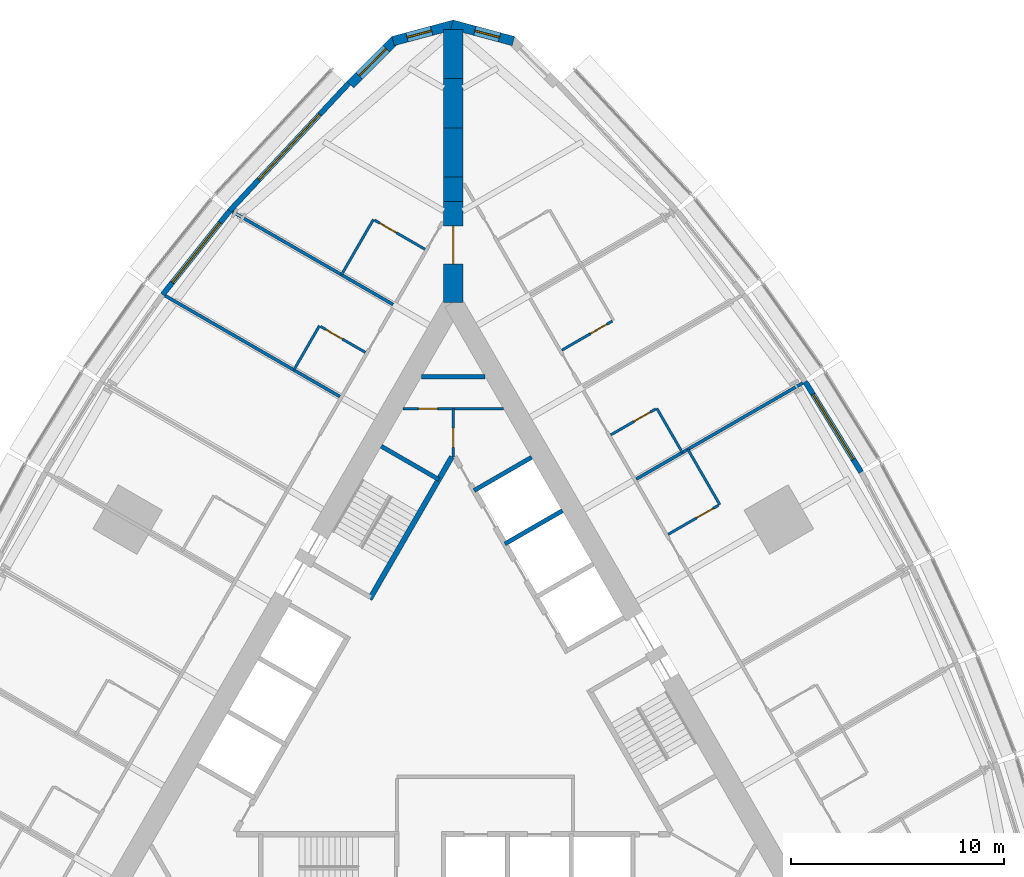
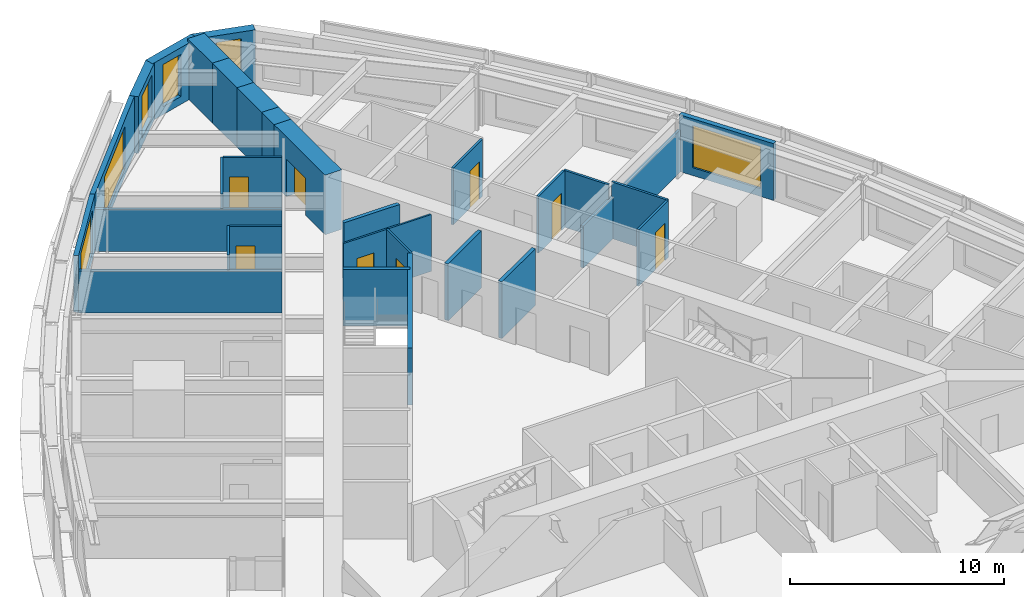
# One storey, part 12 of 14: 30 walls, 8 doors, 6 windows, 14 openings.
"""IFC4 building model written with IfcOpenShell, lengths in metres."""

from ifc_helpers import new_model, si_unit, direction, frame, frame_2d, origin, place, context, subcontext, project, spatial, polyline, rectangle, outline, extrude, material, layer, layer_set, type_object, element, fill, save


model = new_model("IFC4")

# Units and contexts
model_context = context("Model", 3, precision=1e-05, world=origin(), true_north=direction((0.0, 1.0)))
body_context = subcontext(model_context, "Body", "Model", "MODEL_VIEW")
ifc_project = project(units=[si_unit("LENGTHUNIT", "METRE"), si_unit("AREAUNIT", "SQUARE_METRE"), si_unit("VOLUMEUNIT", "CUBIC_METRE"), si_unit("PLANEANGLEUNIT", "RADIAN"), si_unit("MASSUNIT", "GRAM", prefix="KILO")], contexts=[model_context])

# Site, building, storey
site_placement = place(None, origin())
site = spatial("IfcSite", under=ifc_project, at=site_placement, CompositionType="ELEMENT")
building_placement = place(site_placement, origin())
building = spatial("IfcBuilding", under=site, at=building_placement, Name="Trikona Tower", CompositionType="ELEMENT")
storey_placement = place(building_placement, frame((0.0, 0.0, 38.699951171875)))
storey = spatial("IfcBuildingStorey", under=building, at=storey_placement, Name="L08", CompositionType="ELEMENT", Elevation=38.699951171875)

# Wall
ifc_material_1 = material(Name="Metal stud and cement board", Category="gypsum")
ifc_layer_1 = layer(ifc_material_1, 0.1201171875)
ifc_layer_set_1 = layer_set([ifc_layer_1], Name="Bathroom wall 120")
wall_type_1 = type_object("IfcWallType", Name="Bathroom wall 120", PredefinedType="PLUMBINGWALL", material=ifc_layer_set_1)
wall_1_placement = place(storey_placement, frame((12.53271484375, 9.545166015625, 0.0), z_axis=(0.0, 0.0, 1.0), x_axis=(-0.499990139034, 0.866031096941, 0.0)))
element("IfcWall", 1, at=wall_1_placement, inside=storey, type_object=wall_type_1, Name="Bathroom wall 0809", PredefinedType="PLUMBINGWALL", context=body_context, shape_type="SweptSolid", body=[
    extrude(rectangle(XDim=3.0, YDim=0.1201171875, at=frame_2d((1.5, 0.0))), origin(), (0.0, 0.0, 1.0), 3.235107421875),
])

# Wall, opening, door
wall_2_placement = place(storey_placement, frame((10.10791015625, 8.145263671875, 0.0), z_axis=(0.0, 0.0, 1.0), x_axis=(0.866035715982, 0.499982138324, 0.0)))
wall_2 = element("IfcWall", 2, at=wall_2_placement, inside=storey, type_object=wall_type_1, Name="Bathroom wall 0809", PredefinedType="PLUMBINGWALL", context=body_context, shape_type="SweptSolid", body=[
    extrude(rectangle(XDim=2.73974609375, YDim=0.1201171875, at=frame_2d((1.369873046875, 0.0))), origin(), (0.0, 0.0, 1.0), 3.235107421875),
])
opening_1_placement = place(wall_2_placement, frame((1.550048828125, 0.0, 0.0)))
opening_1 = element("IfcOpeningElement", 3, at=opening_1_placement, cuts=wall_2, Name="Opening D2", PredefinedType="OPENING", context=body_context, shape_type="SweptSolid", body=[
    extrude(rectangle(XDim=0.89990234375, YDim=2.1298828125, at=frame_2d((0.449951171875, 1.06494140625))), frame((0.0, 0.070068359375, 0.0), z_axis=(0.0, -1.0, 0.0), x_axis=(1.0, 0.0, 0.0)), (0.0, 0.0, 1.0), 0.14013671875),
])
ifc_material_2 = material(Name="Steel door frame with solid-core timber leaf", Category="steel")
door_type_1 = type_object("IfcDoorType", Name="Bathroom door 900x2130", OperationType="SLIDING_TO_LEFT", PredefinedType="DOOR", material=ifc_material_2)
door_1_placement = place(opening_1_placement, origin())
door_1 = element("IfcDoor", 4, at=door_1_placement, inside=storey, type_object=door_type_1, Name="Bathroom door 0809", OperationType="SLIDING_TO_LEFT", OverallHeight=2.1298828125, OverallWidth=0.89990234375, PredefinedType="DOOR", context=body_context, shape_type="SweptSolid", body=[
    extrude(rectangle(XDim=0.89990234375, YDim=2.1298828125, at=frame_2d((0.449951171875, 1.06494140625))), frame((0.0, 0.02490234375, 0.0), z_axis=(0.0, -1.0, 0.0), x_axis=(1.0, 0.0, 0.0)), (0.0, 0.0, 1.0), 0.050048828125),
])
fill(opening_1, door_1)

# Wall
wall_3_placement = place(storey_placement, frame((10.77294921875, 11.993408203125, 0.0), z_axis=(0.0, 0.0, 1.0), x_axis=(-0.500001309137, 0.866024647952, 0.0)))
element("IfcWall", 5, at=wall_3_placement, inside=storey, type_object=wall_type_1, Name="Bathroom wall 0810", PredefinedType="PLUMBINGWALL", context=body_context, shape_type="SweptSolid", body=[
    extrude(rectangle(XDim=2.39990234375, YDim=0.1201171875, at=frame_2d((1.199951171875, 0.0))), origin(), (0.0, 0.0, 1.0), 3.235107421875),
])

# Wall, opening, door
wall_4_placement = place(storey_placement, frame((7.407958984375, 12.82177734375, 0.0), z_axis=(0.0, 0.0, 1.0), x_axis=(0.866023955769, 0.500002508028, 0.0)))
wall_4 = element("IfcWall", 6, at=wall_4_placement, inside=storey, type_object=wall_type_1, Name="Bathroom wall 0810", PredefinedType="PLUMBINGWALL", context=body_context, shape_type="SweptSolid", body=[
    extrude(rectangle(XDim=2.43994140625, YDim=0.1201171875, at=frame_2d((1.219970703125, 0.0))), origin(), (0.0, 0.0, 1.0), 3.235107421875),
])
opening_2_placement = place(wall_4_placement, frame((1.25, 0.0, 0.0)))
opening_2 = element("IfcOpeningElement", 7, at=opening_2_placement, cuts=wall_4, Name="Opening D2", PredefinedType="OPENING", context=body_context, shape_type="SweptSolid", body=[
    extrude(rectangle(XDim=0.89990234375, YDim=2.1298828125, at=frame_2d((0.449951171875, 1.06494140625))), frame((0.0, 0.070068359375, 0.0), z_axis=(0.0, -1.0, 0.0), x_axis=(1.0, 0.0, 0.0)), (0.0, 0.0, 1.0), 0.14013671875),
])
door_2_placement = place(opening_2_placement, origin())
door_2 = element("IfcDoor", 8, at=door_2_placement, inside=storey, type_object=door_type_1, Name="Bathroom door 0810", OperationType="SLIDING_TO_LEFT", OverallHeight=2.1298828125, OverallWidth=0.89990234375, PredefinedType="DOOR", context=body_context, shape_type="SweptSolid", body=[
    extrude(rectangle(XDim=0.89990234375, YDim=2.1298828125, at=frame_2d((0.449951171875, 1.06494140625))), frame((0.0, 0.02490234375, 0.0), z_axis=(0.0, -1.0, 0.0), x_axis=(1.0, 0.0, 0.0)), (0.0, 0.0, 1.0), 0.050048828125),
])
fill(opening_2, door_2)

wall_5_placement = place(storey_placement, frame((5.10791015625, 16.805419921875, 0.0), z_axis=(0.0, 0.0, 1.0), x_axis=(0.866035715982, 0.499982138324, 0.0)))
wall_5 = element("IfcWall", 9, at=wall_5_placement, inside=storey, type_object=wall_type_1, Name="Bathroom wall 0811", PredefinedType="PLUMBINGWALL", context=body_context, shape_type="SweptSolid", body=[
    extrude(rectangle(XDim=2.73974609375, YDim=0.1201171875, at=frame_2d((1.369873046875, 0.0))), origin(), (0.0, 0.0, 1.0), 3.235107421875),
])
opening_3_placement = place(wall_5_placement, frame((1.550048828125, 0.0, 0.0)))
opening_3 = element("IfcOpeningElement", 10, at=opening_3_placement, cuts=wall_5, Name="Opening D2", PredefinedType="OPENING", context=body_context, shape_type="SweptSolid", body=[
    extrude(rectangle(XDim=0.89990234375, YDim=2.1298828125, at=frame_2d((0.449951171875, 1.06494140625))), frame((0.0, 0.070068359375, 0.0), z_axis=(0.0, -1.0, 0.0), x_axis=(1.0, 0.0, 0.0)), (0.0, 0.0, 1.0), 0.14013671875),
])
door_3_placement = place(opening_3_placement, origin())
door_3 = element("IfcDoor", 11, at=door_3_placement, inside=storey, type_object=door_type_1, Name="Bathroom door 0811", OperationType="SLIDING_TO_LEFT", OverallHeight=2.1298828125, OverallWidth=0.89990234375, PredefinedType="DOOR", context=body_context, shape_type="SweptSolid", body=[
    extrude(rectangle(XDim=0.89990234375, YDim=2.1298828125, at=frame_2d((0.449951171875, 1.06494140625))), frame((0.0, 0.02490234375, 0.0), z_axis=(0.0, -1.0, 0.0), x_axis=(1.0, 0.0, 0.0)), (0.0, 0.0, 1.0), 0.050048828125),
])
fill(opening_3, door_3)

# Wall
wall_6_placement = place(storey_placement, frame((-3.75341796875, 22.95166015625, 0.0), z_axis=(0.0, 0.0, 1.0), x_axis=(-0.499990139034, -0.866031096941, 0.0)))
element("IfcWall", 12, at=wall_6_placement, inside=storey, type_object=wall_type_1, Name="Bathroom wall 0813", PredefinedType="PLUMBINGWALL", context=body_context, shape_type="SweptSolid", body=[
    extrude(rectangle(XDim=3.0, YDim=0.1201171875, at=frame_2d((1.5, 0.0))), origin(), (0.0, 0.0, 1.0), 3.235107421875),
])

# Wall, opening, door
wall_7_placement = place(storey_placement, frame((-1.32861328125, 21.551513671875, 0.0), z_axis=(0.0, 0.0, 1.0), x_axis=(-0.865997131366, 0.500048966069, 0.0)))
wall_7 = element("IfcWall", 13, at=wall_7_placement, inside=storey, type_object=wall_type_1, Name="Bathroom wall 0813", PredefinedType="PLUMBINGWALL", context=body_context, shape_type="SweptSolid", body=[
    extrude(rectangle(XDim=2.739990234375, YDim=0.1201171875, at=frame_2d((1.3701171875, 0.0))), origin(), (0.0, 0.0, 1.0), 3.235107421875),
])
opening_4_placement = place(wall_7_placement, frame((1.550048828125, 0.0, 0.0)))
opening_4 = element("IfcOpeningElement", 14, at=opening_4_placement, cuts=wall_7, Name="Opening D2", PredefinedType="OPENING", context=body_context, shape_type="SweptSolid", body=[
    extrude(rectangle(XDim=0.89990234375, YDim=2.1298828125, at=frame_2d((0.449951171875, 1.06494140625))), frame((0.0, 0.070068359375, 0.0), z_axis=(0.0, -1.0, 0.0), x_axis=(1.0, 0.0, 0.0)), (0.0, 0.0, 1.0), 0.14013671875),
])
door_4_placement = place(opening_4_placement, origin())
door_4 = element("IfcDoor", 15, at=door_4_placement, inside=storey, type_object=door_type_1, Name="Bathroom door 0813", OperationType="SLIDING_TO_LEFT", OverallHeight=2.1298828125, OverallWidth=0.89990234375, PredefinedType="DOOR", context=body_context, shape_type="SweptSolid", body=[
    extrude(rectangle(XDim=0.89990234375, YDim=2.1298828125, at=frame_2d((0.449951171875, 1.06494140625))), frame((0.0, 0.02490234375, 0.0), z_axis=(0.0, -1.0, 0.0), x_axis=(1.0, 0.0, 0.0)), (0.0, 0.0, 1.0), 0.050048828125),
])
fill(opening_4, door_4)

# Wall
wall_8_placement = place(storey_placement, frame((-6.29345703125, 17.951904296875, 0.0), z_axis=(0.0, 0.0, 1.0), x_axis=(-0.499957262057, -0.866050077142, 0.0)))
element("IfcWall", 16, at=wall_8_placement, inside=storey, type_object=wall_type_1, Name="Bathroom wall 0814", PredefinedType="PLUMBINGWALL", context=body_context, shape_type="SweptSolid", body=[
    extrude(rectangle(XDim=2.400146484375, YDim=0.1201171875, at=frame_2d((1.2001953125, 0.0))), origin(), (0.0, 0.0, 1.0), 3.235107421875),
])

# Wall, opening, door
wall_9_placement = place(storey_placement, frame((-4.12841796875, 16.701904296875, 0.0), z_axis=(0.0, 0.0, 1.0), x_axis=(-0.866048967903, 0.499959183527, 0.0)))
wall_9 = element("IfcWall", 17, at=wall_9_placement, inside=storey, type_object=wall_type_1, Name="Bathroom wall 0814", PredefinedType="PLUMBINGWALL", context=body_context, shape_type="SweptSolid", body=[
    extrude(rectangle(XDim=2.440185546875, YDim=0.1201171875, at=frame_2d((1.22021484375, 0.0))), origin(), (0.0, 0.0, 1.0), 3.235107421875),
])
opening_5_placement = place(wall_9_placement, frame((1.25, 0.0, 0.0)))
opening_5 = element("IfcOpeningElement", 18, at=opening_5_placement, cuts=wall_9, Name="Opening D2", PredefinedType="OPENING", context=body_context, shape_type="SweptSolid", body=[
    extrude(rectangle(XDim=0.89990234375, YDim=2.1298828125, at=frame_2d((0.449951171875, 1.06494140625))), frame((0.0, 0.070068359375, 0.0), z_axis=(0.0, -1.0, 0.0), x_axis=(1.0, 0.0, 0.0)), (0.0, 0.0, 1.0), 0.14013671875),
])
door_5_placement = place(opening_5_placement, origin())
door_5 = element("IfcDoor", 19, at=door_5_placement, inside=storey, type_object=door_type_1, Name="Bathroom door 0814", OperationType="SLIDING_TO_LEFT", OverallHeight=2.1298828125, OverallWidth=0.89990234375, PredefinedType="DOOR", context=body_context, shape_type="SweptSolid", body=[
    extrude(rectangle(XDim=0.89990234375, YDim=2.1298828125, at=frame_2d((0.449951171875, 1.06494140625))), frame((0.0, 0.02490234375, 0.0), z_axis=(0.0, -1.0, 0.0), x_axis=(1.0, 0.0, 0.0)), (0.0, 0.0, 1.0), 0.050048828125),
])
fill(opening_5, door_5)

# Wall, opening, window
ifc_material_3 = material(Name="Brick-faced precast concrete", Category="masonry")
ifc_layer_2 = layer(ifc_material_3, 0.449951171875)
ifc_layer_set_2 = layer_set([ifc_layer_2], Name="Brick-faced corner wall 450")
wall_type_2 = type_object("IfcWallType", Name="Brick-faced corner wall 450", PredefinedType="SOLIDWALL", material=ifc_layer_set_2)
wall_10_placement = place(storey_placement, frame((2.82861328125, 31.3408203125, 0.0), z_axis=(0.0, 0.0, 1.0), x_axis=(-0.965930548995, 0.258801419081, 0.0)))
wall_10 = element("IfcWall", 20, at=wall_10_placement, inside=storey, type_object=wall_type_2, Name="External wall L08-21", PredefinedType="SOLIDWALL", context=body_context, shape_type="SweptSolid", body=[
    extrude(outline(polyline([(2.988525390625, 0.22509765625), (2.92919921875, 0.22509765625), (2.4375, 0.09326171875), (2.40234375, 0.22509765625), (0.0, 0.22509765625), (0.0, -0.22509765625), (2.988525390625, -0.22509765625), (2.988525390625, 0.22509765625)])), origin(), (0.0, 0.0, 1.0), 3.235107421875),
])
opening_6_placement = place(wall_10_placement, frame((0.676025390625, 0.0, 0.449951171875)))
opening_6 = element("IfcOpeningElement", 21, at=opening_6_placement, cuts=wall_10, Name="Opening W1224", PredefinedType="OPENING", context=body_context, shape_type="SweptSolid", body=[
    extrude(rectangle(XDim=1.199951171875, YDim=2.39990234375, at=frame_2d((0.60009765625, 1.199951171875))), frame((0.0, 0.23486328125, 0.0), z_axis=(0.0, -1.0, 0.0), x_axis=(1.0, 0.0, 0.0)), (0.0, 0.0, 1.0), 0.469970703125),
])
ifc_material_4 = material(Name="Aluminium-framed double glazing", Category="aluminium")
window_type_1 = type_object("IfcWindowType", Name="Window 1200x2400", PartitioningType="SINGLE_PANEL", PredefinedType="WINDOW", material=ifc_material_4)
window_1_placement = place(opening_6_placement, origin())
window_1 = element("IfcWindow", 22, at=window_1_placement, inside=storey, type_object=window_type_1, Name="Window 0812", OverallHeight=2.39990234375, OverallWidth=1.199951171875, PartitioningType="SINGLE_PANEL", PredefinedType="WINDOW", context=body_context, shape_type="SweptSolid", body=[
    extrude(rectangle(XDim=1.199951171875, YDim=2.39990234375, at=frame_2d((0.60009765625, 1.199951171875))), frame((0.0, 0.030029296875, 0.0), z_axis=(0.0, -1.0, 0.0), x_axis=(1.0, 0.0, 0.0)), (0.0, 0.0, 1.0), 0.06005859375),
])
fill(opening_6, window_1)

wall_11_placement = place(storey_placement, frame((0.05810546875, 32.1142578125, 0.0), z_axis=(0.0, 0.0, 1.0), x_axis=(-0.965930548995, -0.258801419081, 0.0)))
wall_11 = element("IfcWall", 23, at=wall_11_placement, inside=storey, type_object=wall_type_2, Name="External wall L08-22", PredefinedType="SOLIDWALL", context=body_context, shape_type="SweptSolid", body=[
    extrude(outline(polyline([(2.988525390625, 0.22509765625), (0.58642578125, 0.22509765625), (0.551025390625, 0.09326171875), (0.059326171875, 0.22509765625), (0.0, 0.22509765625), (0.0, -0.22509765625), (2.988525390625, -0.22509765625), (2.988525390625, 0.22509765625)])), origin(), (0.0, 0.0, 1.0), 3.235107421875),
])
opening_7_placement = place(wall_11_placement, frame((1.112548828125, 0.0, 0.449951171875)))
opening_7 = element("IfcOpeningElement", 24, at=opening_7_placement, cuts=wall_11, Name="Opening W1224", PredefinedType="OPENING", context=body_context, shape_type="SweptSolid", body=[
    extrude(rectangle(XDim=1.199951171875, YDim=2.39990234375, at=frame_2d((0.60009765625, 1.199951171875))), frame((0.0, 0.23486328125, 0.0), z_axis=(0.0, -1.0, 0.0), x_axis=(1.0, 0.0, 0.0)), (0.0, 0.0, 1.0), 0.469970703125),
])
window_2_placement = place(opening_7_placement, origin())
window_2 = element("IfcWindow", 25, at=window_2_placement, inside=storey, type_object=window_type_1, Name="Window 0813", OverallHeight=2.39990234375, OverallWidth=1.199951171875, PartitioningType="SINGLE_PANEL", PredefinedType="WINDOW", context=body_context, shape_type="SweptSolid", body=[
    extrude(rectangle(XDim=1.199951171875, YDim=2.39990234375, at=frame_2d((0.60009765625, 1.199951171875))), frame((0.0, 0.030029296875, 0.0), z_axis=(0.0, -1.0, 0.0), x_axis=(1.0, 0.0, 0.0)), (0.0, 0.0, 1.0), 0.06005859375),
])
fill(opening_7, window_2)

wall_12_placement = place(storey_placement, frame((-2.727783203125, 31.39892578125, 0.0), z_axis=(0.0, 0.0, 1.0), x_axis=(-0.707106781187, -0.707106781187, 0.0)))
wall_12 = element("IfcWall", 26, at=wall_12_placement, inside=storey, type_object=wall_type_2, Name="External wall L08-23", PredefinedType="SOLIDWALL", context=body_context, shape_type="SweptSolid", body=[
    extrude(rectangle(XDim=2.98828125, YDim=0.449951171875, at=frame_2d((1.494140625, 0.0))), origin(), (0.0, 0.0, 1.0), 3.235107421875),
])
opening_8_placement = place(wall_12_placement, frame((0.59423828125, 0.0, 0.449951171875)))
opening_8 = element("IfcOpeningElement", 27, at=opening_8_placement, cuts=wall_12, Name="Opening W1824", PredefinedType="OPENING", context=body_context, shape_type="SweptSolid", body=[
    extrude(rectangle(XDim=1.800048828125, YDim=2.39990234375, at=frame_2d((0.89990234375, 1.199951171875))), frame((0.0, 0.23486328125, 0.0), z_axis=(0.0, -1.0, 0.0), x_axis=(1.0, 0.0, 0.0)), (0.0, 0.0, 1.0), 0.469970703125),
])
ifc_material_5 = material(Name="Aluminium-framed double glazing", Category="aluminium")
window_type_2 = type_object("IfcWindowType", Name="Window 1800x2400", PartitioningType="SINGLE_PANEL", PredefinedType="WINDOW", material=ifc_material_5)
window_3_placement = place(opening_8_placement, origin())
window_3 = element("IfcWindow", 28, at=window_3_placement, inside=storey, type_object=window_type_2, Name="Window 0813", OverallHeight=2.39990234375, OverallWidth=1.800048828125, PartitioningType="SINGLE_PANEL", PredefinedType="WINDOW", context=body_context, shape_type="SweptSolid", body=[
    extrude(rectangle(XDim=1.800048828125, YDim=2.39990234375, at=frame_2d((0.89990234375, 1.199951171875))), frame((0.0, 0.030029296875, 0.0), z_axis=(0.0, -1.0, 0.0), x_axis=(1.0, 0.0, 0.0)), (0.0, 0.0, 1.0), 0.06005859375),
])
fill(opening_8, window_3)

# Wall, opening, door
ifc_material_6 = material(Name="Concrete f'c 10000 psi", Category="concrete")
ifc_layer_3 = layer(ifc_material_6, 0.89990234375)
ifc_layer_set_3 = layer_set([ifc_layer_3], Name="Buttress wall 900")
wall_type_3 = type_object("IfcWallType", Name="Buttress wall 900", PredefinedType="SHEAR", material=ifc_layer_set_3)
wall_13_placement = place(storey_placement, frame((0.0, 19.052490234375, 0.0), z_axis=(0.0, 0.0, 1.0), x_axis=(0.0, 1.0, 0.0)))
wall_13 = element("IfcWall", 29, at=wall_13_placement, inside=storey, type_object=wall_type_3, Name="Buttress wall 2", PredefinedType="SHEAR", context=body_context, shape_type="SweptSolid", body=[
    extrude(rectangle(XDim=4.74609375, YDim=0.89990234375, at=frame_2d((2.373046875, 0.0))), origin(), (0.0, 0.0, 1.0), 3.400146484375),
])
opening_9_placement = place(wall_13_placement, frame((1.800048828125, 0.0, 0.0)))
opening_9 = element("IfcOpeningElement", 30, at=opening_9_placement, cuts=wall_13, Name="Opening D10", PredefinedType="OPENING", context=body_context, shape_type="SweptSolid", body=[
    extrude(rectangle(XDim=1.800048828125, YDim=2.1298828125, at=frame_2d((0.89990234375, 1.06494140625))), frame((0.0, 0.4599609375, 0.0), z_axis=(0.0, -1.0, 0.0), x_axis=(1.0, 0.0, 0.0)), (0.0, 0.0, 1.0), 0.919921875),
])
ifc_material_7 = material(Name="Hollow metal door and frame", Category="steel")
door_type_2 = type_object("IfcDoorType", Name="Cross-corridor door pair 1800x2130", OperationType="DOUBLE_DOOR_DOUBLE_SWING", PredefinedType="DOOR", material=ifc_material_7)
door_6_placement = place(opening_9_placement, origin())
door_6 = element("IfcDoor", 31, at=door_6_placement, inside=storey, type_object=door_type_2, Name="Cross-corridor door 2", OperationType="DOUBLE_DOOR_DOUBLE_SWING", OverallHeight=2.1298828125, OverallWidth=1.800048828125, PredefinedType="DOOR", context=body_context, shape_type="SweptSolid", body=[
    extrude(rectangle(XDim=1.800048828125, YDim=2.1298828125, at=frame_2d((0.89990234375, 1.06494140625))), frame((0.0, 0.02490234375, 0.0), z_axis=(0.0, -1.0, 0.0), x_axis=(1.0, 0.0, 0.0)), (0.0, 0.0, 1.0), 0.050048828125),
])
fill(opening_9, door_6)

# Walls
wall_14_placement = place(storey_placement, frame((0.0, 23.798583984375, 0.0), z_axis=(0.0, 0.0, 1.0), x_axis=(0.0, 1.0, 0.0)))
element("IfcWall", 32, at=wall_14_placement, inside=storey, type_object=wall_type_3, Name="Buttress wall 2 part 2", PredefinedType="SHEAR", context=body_context, shape_type="SweptSolid", body=[
    extrude(rectangle(XDim=1.15478515625, YDim=0.89990234375, at=frame_2d((0.577392578125, 0.0))), origin(), (0.0, 0.0, 1.0), 3.400146484375),
])
wall_15_placement = place(storey_placement, frame((0.0, 24.953369140625, 0.0), z_axis=(0.0, 0.0, 1.0), x_axis=(0.0, 1.0, 0.0)))
element("IfcWall", 33, at=wall_15_placement, inside=storey, type_object=wall_type_3, Name="Buttress wall 2 part 3", PredefinedType="SHEAR", context=body_context, shape_type="SweptSolid", body=[
    extrude(rectangle(XDim=2.309326171875, YDim=0.89990234375, at=frame_2d((1.15478515625, 0.0))), origin(), (0.0, 0.0, 1.0), 3.400146484375),
])
wall_16_placement = place(storey_placement, frame((0.0, 27.2626953125, 0.0), z_axis=(0.0, 0.0, 1.0), x_axis=(0.0, 1.0, 0.0)))
element("IfcWall", 34, at=wall_16_placement, inside=storey, type_object=wall_type_3, Name="Buttress wall 2 part 4", PredefinedType="SHEAR", context=body_context, shape_type="SweptSolid", body=[
    extrude(rectangle(XDim=2.3095703125, YDim=0.89990234375, at=frame_2d((1.15478515625, 0.0))), origin(), (0.0, 0.0, 1.0), 3.400146484375),
])
wall_17_placement = place(storey_placement, frame((0.0, 29.572265625, 0.0), z_axis=(0.0, 0.0, 1.0), x_axis=(0.0, 1.0, 0.0)))
element("IfcWall", 35, at=wall_17_placement, inside=storey, type_object=wall_type_3, Name="Buttress wall 2 part 5", PredefinedType="SHEAR", context=body_context, shape_type="SweptSolid", body=[
    extrude(rectangle(XDim=2.309326171875, YDim=0.89990234375, at=frame_2d((1.15478515625, 0.0))), origin(), (0.0, 0.0, 1.0), 3.400146484375),
])
ifc_material_8 = material(Name="Concrete f'c 8000 psi", Category="concrete")
ifc_layer_4 = layer(ifc_material_8, 0.25)
ifc_layer_set_4 = layer_set([ifc_layer_4], Name="Hub wall 250")
wall_type_4 = type_object("IfcWallType", Name="Hub wall 250", PredefinedType="SOLIDWALL", material=ifc_layer_set_4)
wall_18_placement = place(storey_placement, frame((-0.0625, 11.794189453125, 0.0), z_axis=(0.0, 0.0, 1.0), x_axis=(-0.500006680225, -0.86602154692, 0.0)))
element("IfcWall", 36, at=wall_18_placement, inside=storey, type_object=wall_type_4, Name="Lift lobby wall C1", PredefinedType="SOLIDWALL", context=body_context, shape_type="SweptSolid", body=[
    extrude(rectangle(XDim=7.73291015625, YDim=0.25, at=frame_2d((3.866455078125, 0.0))), origin(), (0.0, 0.0, 1.0), 3.235107421875),
])

# Wall, opening, window
ifc_material_9 = material(Name="Insulated precast concrete spandrel panel", Category="concrete")
ifc_layer_5 = layer(ifc_material_9, 0.25)
ifc_layer_set_5 = layer_set([ifc_layer_5], Name="Inner skin wall 250")
wall_type_5 = type_object("IfcWallType", Name="Inner skin wall 250", PredefinedType="STANDARD", material=ifc_layer_set_5)
wall_19_placement = place(storey_placement, frame((19.182373046875, 11.070556640625, 0.0), z_axis=(0.0, 0.0, 1.0), x_axis=(-0.526132807704, 0.850402415717, 0.0)))
wall_19 = element("IfcWall", 37, at=wall_19_placement, inside=storey, type_object=wall_type_5, Name="External wall L08-16", PredefinedType="STANDARD", context=body_context, shape_type="SweptSolid", body=[
    extrude(rectangle(XDim=5.002197265625, YDim=0.25, at=frame_2d((2.5009765625, 0.0))), origin(), (0.0, 0.0, 1.0), 3.235107421875),
])
opening_10_placement = place(wall_19_placement, frame((0.701171875, 0.0, 0.449951171875)))
opening_10 = element("IfcOpeningElement", 38, at=opening_10_placement, cuts=wall_19, Name="Opening W3624", PredefinedType="OPENING", context=body_context, shape_type="SweptSolid", body=[
    extrude(rectangle(XDim=3.60009765625, YDim=2.39990234375, at=frame_2d((1.800048828125, 1.199951171875))), frame((0.0, 0.135009765625, 0.0), z_axis=(0.0, -1.0, 0.0), x_axis=(1.0, 0.0, 0.0)), (0.0, 0.0, 1.0), 0.27001953125),
])
ifc_material_10 = material(Name="Aluminium-framed double glazing", Category="aluminium")
window_type_3 = type_object("IfcWindowType", Name="Window 3600x2400", PartitioningType="SINGLE_PANEL", PredefinedType="WINDOW", material=ifc_material_10)
window_4_placement = place(opening_10_placement, origin())
window_4 = element("IfcWindow", 39, at=window_4_placement, inside=storey, type_object=window_type_3, Name="Window 0809", OverallHeight=2.39990234375, OverallWidth=3.60009765625, PartitioningType="SINGLE_PANEL", PredefinedType="WINDOW", context=body_context, shape_type="SweptSolid", body=[
    extrude(rectangle(XDim=3.60009765625, YDim=2.39990234375, at=frame_2d((1.800048828125, 1.199951171875))), frame((0.0, 0.030029296875, 0.0), z_axis=(0.0, -1.0, 0.0), x_axis=(1.0, 0.0, 0.0)), (0.0, 0.0, 1.0), 0.06005859375),
])
fill(opening_10, window_4)

wall_20_placement = place(storey_placement, frame((-4.90869140625, 29.359619140625, 0.0), z_axis=(0.0, 0.0, 1.0), x_axis=(-0.682289646561, -0.731081964075, 0.0)))
wall_20 = element("IfcWall", 40, at=wall_20_placement, inside=storey, type_object=wall_type_5, Name="External wall L08-24", PredefinedType="STANDARD", context=body_context, shape_type="SweptSolid", body=[
    extrude(rectangle(XDim=8.2109375, YDim=0.25, at=frame_2d((4.10546875, 0.0))), origin(), (0.0, 0.0, 1.0), 3.235107421875),
])
opening_11_placement = place(wall_20_placement, frame((2.005615234375, 0.0, 0.449951171875)))
opening_11 = element("IfcOpeningElement", 41, at=opening_11_placement, cuts=wall_20, Name="Opening W4224", PredefinedType="OPENING", context=body_context, shape_type="SweptSolid", body=[
    extrude(rectangle(XDim=4.199951171875, YDim=2.39990234375, at=frame_2d((2.10009765625, 1.199951171875))), frame((0.0, 0.135009765625, 0.0), z_axis=(0.0, -1.0, 0.0), x_axis=(1.0, 0.0, 0.0)), (0.0, 0.0, 1.0), 0.27001953125),
])
ifc_material_11 = material(Name="Aluminium-framed double glazing", Category="aluminium")
window_type_4 = type_object("IfcWindowType", Name="Window 4200x2400", PartitioningType="SINGLE_PANEL", PredefinedType="WINDOW", material=ifc_material_11)
window_5_placement = place(opening_11_placement, origin())
window_5 = element("IfcWindow", 42, at=window_5_placement, inside=storey, type_object=window_type_4, Name="Window 0813", OverallHeight=2.39990234375, OverallWidth=4.199951171875, PartitioningType="SINGLE_PANEL", PredefinedType="WINDOW", context=body_context, shape_type="SweptSolid", body=[
    extrude(rectangle(XDim=4.199951171875, YDim=2.39990234375, at=frame_2d((2.10009765625, 1.199951171875))), frame((0.0, 0.030029296875, 0.0), z_axis=(0.0, -1.0, 0.0), x_axis=(1.0, 0.0, 0.0)), (0.0, 0.0, 1.0), 0.06005859375),
])
fill(opening_11, window_5)

wall_21_placement = place(storey_placement, frame((-10.5048828125, 23.36376953125, 0.0), z_axis=(0.0, 0.0, 1.0), x_axis=(-0.624594965756, -0.780948864364, 0.0)))
wall_21 = element("IfcWall", 43, at=wall_21_placement, inside=storey, type_object=wall_type_5, Name="External wall L08-25", PredefinedType="STANDARD", context=body_context, shape_type="SweptSolid", body=[
    extrude(rectangle(XDim=5.0576171875, YDim=0.25, at=frame_2d((2.52880859375, 0.0))), origin(), (0.0, 0.0, 1.0), 3.235107421875),
])
opening_12_placement = place(wall_21_placement, frame((0.728759765625, 0.0, 0.449951171875)))
opening_12 = element("IfcOpeningElement", 44, at=opening_12_placement, cuts=wall_21, Name="Opening W3624", PredefinedType="OPENING", context=body_context, shape_type="SweptSolid", body=[
    extrude(rectangle(XDim=3.60009765625, YDim=2.39990234375, at=frame_2d((1.800048828125, 1.199951171875))), frame((0.0, 0.135009765625, 0.0), z_axis=(0.0, -1.0, 0.0), x_axis=(1.0, 0.0, 0.0)), (0.0, 0.0, 1.0), 0.27001953125),
])
window_6_placement = place(opening_12_placement, origin())
window_6 = element("IfcWindow", 45, at=window_6_placement, inside=storey, type_object=window_type_3, Name="Window 0814", OverallHeight=2.39990234375, OverallWidth=3.60009765625, PartitioningType="SINGLE_PANEL", PredefinedType="WINDOW", context=body_context, shape_type="SweptSolid", body=[
    extrude(rectangle(XDim=3.60009765625, YDim=2.39990234375, at=frame_2d((1.800048828125, 1.199951171875))), frame((0.0, 0.030029296875, 0.0), z_axis=(0.0, -1.0, 0.0), x_axis=(1.0, 0.0, 0.0)), (0.0, 0.0, 1.0), 0.06005859375),
])
fill(opening_12, window_6)

# Walls
ifc_material_12 = material(Name="Metal stud and gypsum board, 1-hour acoustic", Category="gypsum")
ifc_layer_6 = layer(ifc_material_12, 0.14990234375)
ifc_layer_set_6 = layer_set([ifc_layer_6], Name="Party wall 150")
wall_type_6 = type_object("IfcWallType", Name="Party wall 150", PredefinedType="PARTITIONING", material=ifc_layer_set_6)
wall_22_placement = place(storey_placement, frame((8.60791015625, 10.743408203125, 0.0), z_axis=(0.0, 0.0, 1.0), x_axis=(0.866028232062, 0.499995101247, 0.0)))
element("IfcWall", 46, at=wall_22_placement, inside=storey, type_object=wall_type_6, Name="Partition L08 F2 u5", PredefinedType="PARTITIONING", context=body_context, shape_type="SweptSolid", body=[
    extrude(rectangle(XDim=9.04296875, YDim=0.14990234375, at=frame_2d((4.521484375, 0.0))), origin(), (0.0, 0.0, 1.0), 2.38916015625),
])
wall_23_placement = place(storey_placement, frame((-2.82861328125, 18.95361328125, 0.0), z_axis=(0.0, 0.0, 1.0), x_axis=(-0.866020536561, 0.500008430184, 0.0)))
element("IfcWall", 47, at=wall_23_placement, inside=storey, type_object=wall_type_6, Name="Partition L08 F3 u-15", PredefinedType="PARTITIONING", context=body_context, shape_type="SweptSolid", body=[
    extrude(rectangle(XDim=8.719970703125, YDim=0.14990234375, at=frame_2d((4.35986328125, 0.0))), origin(), (0.0, 0.0, 1.0), 2.38916015625),
])
wall_24_placement = place(storey_placement, frame((-5.32861328125, 14.623291015625, 0.0), z_axis=(0.0, 0.0, 1.0), x_axis=(-0.866018409083, 0.500012114982, 0.0)))
element("IfcWall", 48, at=wall_24_placement, inside=storey, type_object=wall_type_6, Name="Partition L08 F3 u-10", PredefinedType="PARTITIONING", context=body_context, shape_type="SweptSolid", body=[
    extrude(rectangle(XDim=9.484619140625, YDim=0.14990234375, at=frame_2d((4.7421875, 0.0))), origin(), (0.0, 0.0, 1.0), 2.38916015625),
])
ifc_material_13 = material(Name="Concrete f'c 8000 psi", Category="concrete")
ifc_layer_7 = layer(ifc_material_13, 0.199951171875)
ifc_layer_set_7 = layer_set([ifc_layer_7], Name="Shaft wall 200")
wall_type_7 = type_object("IfcWallType", Name="Shaft wall 200", PredefinedType="SOLIDWALL", material=ifc_layer_set_7)
for number, where, z_axis, x_axis, name in (
    (49, (2.428955078125, 7.695556640625, 0.0), (0.0, 0.0, 1.0), (0.866022959057, 0.500004234368, 0.0), "Shaft wall B5"),
    (50, (0.97900390625, 10.20703125, 0.0), (0.0, 0.0, 1.0), (0.866022959057, 0.500004234368, 0.0), "Shaft wall B6"),
):
    element("IfcWall", number, at=place(storey_placement, frame(where, z_axis=z_axis, x_axis=x_axis)), inside=storey, type_object=wall_type_7, Name=name, PredefinedType="SOLIDWALL", context=body_context, shape_type="SweptSolid", body=[
        extrude(rectangle(XDim=3.125, YDim=0.199951171875, at=frame_2d((1.5625, 0.0))), origin(), (0.0, 0.0, 1.0), 3.235107421875),
    ])
wall_25_placement = place(storey_placement, frame((-1.501220703125, 15.552490234375, 0.0), z_axis=(0.0, 0.0, 1.0), x_axis=(1.0, 0.0, 0.0)))
element("IfcWall", 51, at=wall_25_placement, inside=storey, type_object=wall_type_7, Name="Riser wall L08-RS2", PredefinedType="SOLIDWALL", context=body_context, shape_type="SweptSolid", body=[
    extrude(rectangle(XDim=3.00244140625, YDim=0.199951171875, at=frame_2d((1.501220703125, 0.0))), origin(), (0.0, 0.0, 1.0), 3.235107421875),
])
ifc_material_14 = material(Name="Concrete f'c 8000 psi", Category="concrete")
ifc_layer_8 = layer(ifc_material_14, 0.199951171875)
ifc_layer_set_8 = layer_set([ifc_layer_8], Name="Shaft wall 200 load-bearing")
wall_type_8 = type_object("IfcWallType", Name="Shaft wall 200 load-bearing", PredefinedType="SOLIDWALL", material=ifc_layer_set_8)
wall_26_placement = place(storey_placement, frame((-0.678955078125, 10.7265625, 0.0), z_axis=(0.0, 0.0, 1.0), x_axis=(-0.866022959057, 0.500004234368, 0.0)))
element("IfcWall", 52, at=wall_26_placement, inside=storey, type_object=wall_type_8, Name="Shaft wall C1", PredefinedType="SOLIDWALL", context=body_context, shape_type="SweptSolid", body=[
    extrude(rectangle(XDim=3.125, YDim=0.199951171875, at=frame_2d((1.5625, 0.0))), origin(), (0.0, 0.0, 1.0), 3.235107421875),
])

# Wall, opening, door
ifc_material_15 = material(Name="Metal stud and gypsum board, acoustic", Category="gypsum")
ifc_layer_9 = layer(ifc_material_15, 0.10009765625)
ifc_layer_set_9 = layer_set([ifc_layer_9], Name="Suite partition 100")
wall_type_9 = type_object("IfcWallType", Name="Suite partition 100", PredefinedType="PARTITIONING", material=ifc_layer_set_9)
wall_27_placement = place(storey_placement, frame((-2.3671875, 14.052490234375, 0.0), z_axis=(0.0, 0.0, 1.0), x_axis=(1.0, 0.0, 0.0)))
wall_27 = element("IfcWall", 53, at=wall_27_placement, inside=storey, type_object=wall_type_9, Name="Store partition L08-RS2", PredefinedType="PARTITIONING", context=body_context, shape_type="SweptSolid", body=[
    extrude(rectangle(XDim=4.734375, YDim=0.10009765625, at=frame_2d((2.3671875, 0.0))), origin(), (0.0, 0.0, 1.0), 3.235107421875),
])
opening_13_placement = place(wall_27_placement, frame((0.733642578125, 0.0, 0.0)))
opening_13 = element("IfcOpeningElement", 54, at=opening_13_placement, cuts=wall_27, Name="Opening D15", PredefinedType="OPENING", context=body_context, shape_type="SweptSolid", body=[
    extrude(rectangle(XDim=0.89990234375, YDim=2.1298828125, at=frame_2d((0.449951171875, 1.06494140625))), frame((0.0, 0.06005859375, 0.0), z_axis=(0.0, -1.0, 0.0), x_axis=(1.0, 0.0, 0.0)), (0.0, 0.0, 1.0), 0.1201171875),
])
ifc_material_16 = material(Name="Steel door frame with solid-core timber leaf", Category="steel")
door_type_3 = type_object("IfcDoorType", Name="Store door 900x2130", OperationType="SINGLE_SWING_LEFT", PredefinedType="DOOR", material=ifc_material_16)
door_7_placement = place(opening_13_placement, origin())
door_7 = element("IfcDoor", 55, at=door_7_placement, inside=storey, type_object=door_type_3, Name="Door Cleaner's store CLN", OperationType="SINGLE_SWING_LEFT", OverallHeight=2.1298828125, OverallWidth=0.89990234375, PredefinedType="DOOR", context=body_context, shape_type="SweptSolid", body=[
    extrude(rectangle(XDim=0.89990234375, YDim=2.1298828125, at=frame_2d((0.449951171875, 1.06494140625))), frame((0.0, 0.02490234375, 0.0), z_axis=(0.0, -1.0, 0.0), x_axis=(1.0, 0.0, 0.0)), (0.0, 0.0, 1.0), 0.050048828125),
])
fill(opening_13, door_7)

wall_28_placement = place(storey_placement, frame((0.0, 14.052490234375, 0.0), z_axis=(0.0, 0.0, 1.0), x_axis=(0.0, -1.0, 0.0)))
wall_28 = element("IfcWall", 56, at=wall_28_placement, inside=storey, type_object=wall_type_9, Name="Store partition L08-RS2", PredefinedType="PARTITIONING", context=body_context, shape_type="SweptSolid", body=[
    extrude(rectangle(XDim=2.275146484375, YDim=0.10009765625, at=frame_2d((1.1376953125, 0.0))), origin(), (0.0, 0.0, 1.0), 3.235107421875),
])
opening_14_placement = place(wall_28_placement, frame((0.9150390625, 0.0, 0.0)))
opening_14 = element("IfcOpeningElement", 57, at=opening_14_placement, cuts=wall_28, Name="Opening D15", PredefinedType="OPENING", context=body_context, shape_type="SweptSolid", body=[
    extrude(rectangle(XDim=0.89990234375, YDim=2.1298828125, at=frame_2d((0.449951171875, 1.06494140625))), frame((0.0, 0.06005859375, 0.0), z_axis=(0.0, -1.0, 0.0), x_axis=(1.0, 0.0, 0.0)), (0.0, 0.0, 1.0), 0.1201171875),
])
door_8_placement = place(opening_14_placement, origin())
door_8 = element("IfcDoor", 58, at=door_8_placement, inside=storey, type_object=door_type_3, Name="Door Uniform store UNF", OperationType="SINGLE_SWING_RIGHT", OverallHeight=2.1298828125, OverallWidth=0.89990234375, PredefinedType="DOOR", context=body_context, shape_type="SweptSolid", body=[
    extrude(rectangle(XDim=0.89990234375, YDim=2.1298828125, at=frame_2d((0.449951171875, 1.06494140625))), frame((0.0, 0.02490234375, 0.0), z_axis=(0.0, -1.0, 0.0), x_axis=(1.0, 0.0, 0.0)), (0.0, 0.0, 1.0), 0.050048828125),
])
fill(opening_14, door_8)

save(model, "model.ifc")
